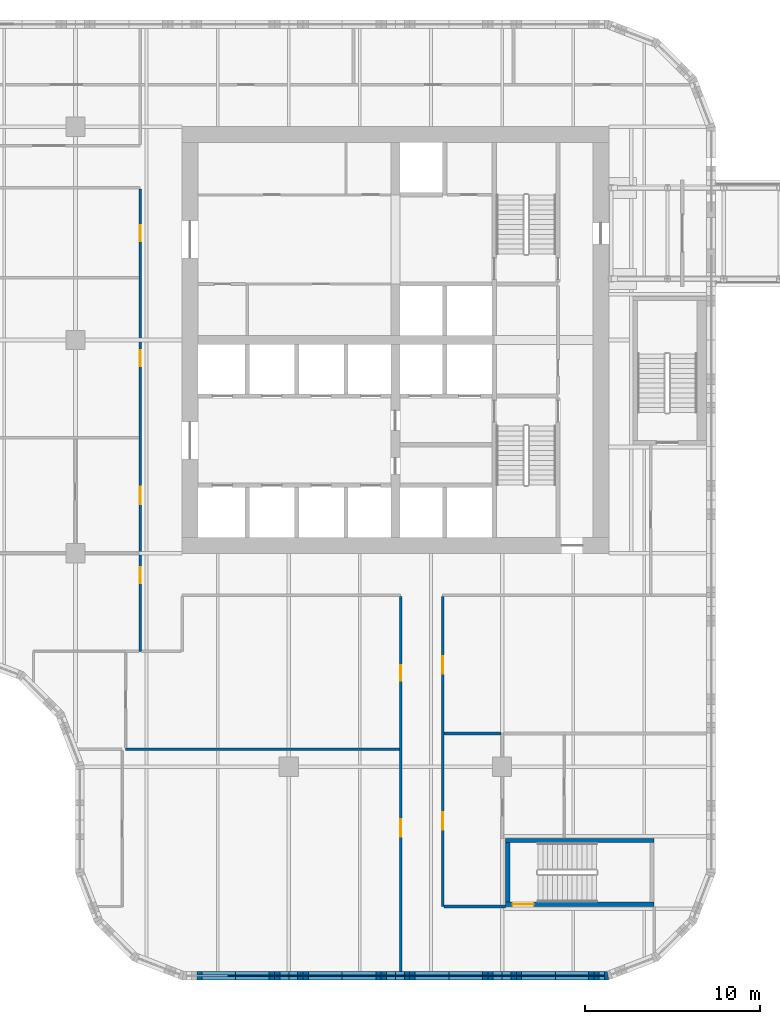
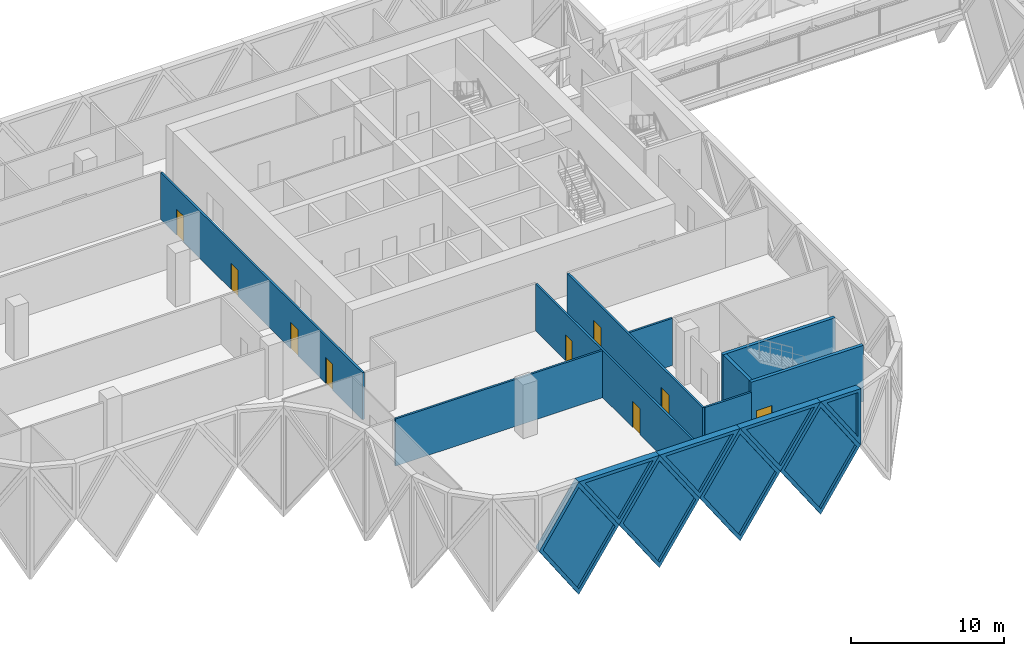
# One storey, part 12 of 30: 17 walls, 9 doors, 8 plates, 17 openings.
"""IFC4 building model written with IfcOpenShell, lengths in metres."""

from ifc_helpers import new_model, si_unit, direction, frame, frame_2d, origin, place, context, subcontext, project, spatial, polyline, rectangle, outline, extrude, faceted_brep, source, transform, mapped, material, layer, layer_set, type_object, element, fill, save


model = new_model("IFC4")

# Units and contexts
model_context = context("Model", 3, precision=1e-05, world=origin(), true_north=direction((0.0, 1.0)))
body_context = subcontext(model_context, "Body", "Model", "MODEL_VIEW")
ifc_project = project(units=[si_unit("LENGTHUNIT", "METRE"), si_unit("AREAUNIT", "SQUARE_METRE"), si_unit("VOLUMEUNIT", "CUBIC_METRE"), si_unit("PLANEANGLEUNIT", "RADIAN"), si_unit("MASSUNIT", "GRAM", prefix="KILO")], contexts=[model_context])

# Site, building, storey
site_placement = place(None, origin())
site = spatial("IfcSite", under=ifc_project, at=site_placement, CompositionType="ELEMENT")
building_placement = place(site_placement, origin())
building = spatial("IfcBuilding", under=site, at=building_placement, Name="Tessera Gate Towers", CompositionType="ELEMENT")
storey_placement = place(building_placement, frame((0.0, 0.0, 21.300048828125)))
storey = spatial("IfcBuildingStorey", under=building, at=storey_placement, Name="L04", CompositionType="ELEMENT", Elevation=21.300048828125)

# Wall, opening, door
ifc_material_1 = material(Name="Concrete C40/50", Category="concrete")
ifc_layer_1 = layer(ifc_material_1, 0.25)
ifc_layer_set_1 = layer_set([ifc_layer_1], Name="CORE ENCLOSURE WALL 250")
wall_type_1 = type_object("IfcWallType", Name="CORE ENCLOSURE WALL 250", PredefinedType="SOLIDWALL", material=ifc_layer_set_1)
wall_1_placement = place(storey_placement, frame((57.5, 4.324951171875, 0.0), z_axis=(0.0, 0.0, 1.0), x_axis=(-1.0, 0.0, 0.0)))
wall_1 = element("IfcWall", 1, at=wall_1_placement, inside=storey, type_object=wall_type_1, Name="L04 ST4 enclosure wall", PredefinedType="SOLIDWALL", context=body_context, shape_type="SweptSolid", body=[
    extrude(rectangle(XDim=8.5, YDim=0.25, at=frame_2d((4.25, 0.0))), origin(), (0.0, 0.0, 1.0), 4.5),
])
shared_shape_1 = source(origin(), body_context, "Body", "SweptSolid", [
    extrude(rectangle(XDim=1.199951171875, YDim=2.10009765625, at=frame_2d((0.60009765625, 1.050048828125))), frame((0.0, 0.135009765625, 0.0), z_axis=(0.0, -1.0, 0.0), x_axis=(1.0, 0.0, 0.0)), (0.0, 0.0, 1.0), 0.27001953125),
])
opening_1_placement = place(wall_1_placement, frame((6.89990234375, 0.0, 0.0)))
opening_1 = element("IfcOpeningElement", 2, at=opening_1_placement, cuts=wall_1, Name="Opening SD-ST4-1", PredefinedType="OPENING", context=body_context, shape_type="MappedRepresentation", body=[
    mapped(shared_shape_1, transform((0.0, 0.0, 0.0), scale=1.0)),
])
ifc_material_2 = material(Name="Hollow steel fire door", Category="steel")
door_type_1 = type_object("IfcDoorType", Name="CORE DOOR SD 1200x2100", OperationType="NOTDEFINED", PredefinedType="DOOR", material=ifc_material_2)
shared_shape_2 = source(origin(), body_context, "Body", "SweptSolid", [
    extrude(rectangle(XDim=1.199951171875, YDim=2.10009765625, at=frame_2d((0.60009765625, 1.050048828125))), frame((0.0, 0.02490234375, 0.0), z_axis=(0.0, -1.0, 0.0), x_axis=(1.0, 0.0, 0.0)), (0.0, 0.0, 1.0), 0.050048828125),
])
door_1_placement = place(opening_1_placement, origin())
door_1 = element("IfcDoor", 3, at=door_1_placement, inside=storey, type_object=door_type_1, Name="Stair door", OperationType="SINGLE_SWING_RIGHT", OverallHeight=2.10009765625, OverallWidth=1.199951171875, PredefinedType="DOOR", context=body_context, shape_type="MappedRepresentation", body=[
    mapped(shared_shape_2, transform((0.0, 0.0, 0.0), scale=1.0)),
])
fill(opening_1, door_1)

# Walls
wall_2_placement = place(storey_placement, frame((49.125, 4.449951171875, 0.0), z_axis=(0.0, 0.0, 1.0), x_axis=(0.0, 1.0, 0.0)))
element("IfcWall", 4, at=wall_2_placement, inside=storey, type_object=wall_type_1, Name="L04 ST4 enclosure wall", PredefinedType="SOLIDWALL", context=body_context, shape_type="SweptSolid", body=[
    extrude(rectangle(XDim=3.400146484375, YDim=0.25, at=frame_2d((1.7001953125, 0.0))), origin(), (0.0, 0.0, 1.0), 4.5),
])
wall_3_placement = place(storey_placement, frame((49.0, 7.97509765625, 0.0), z_axis=(0.0, 0.0, 1.0), x_axis=(1.0, 0.0, 0.0)))
element("IfcWall", 5, at=wall_3_placement, inside=storey, type_object=wall_type_1, Name="L04 ST4 enclosure wall", PredefinedType="SOLIDWALL", context=body_context, shape_type="SweptSolid", body=[
    extrude(rectangle(XDim=8.5, YDim=0.25, at=frame_2d((4.25, 0.0))), origin(), (0.0, 0.0, 1.0), 4.5),
])

# Wall, openings, doors
ifc_material_3 = material(Name="Gypsum board on steel studs, mineral wool", Category="steel")
ifc_layer_2 = layer(ifc_material_3, 0.14990234375)
ifc_layer_set_2 = layer_set([ifc_layer_2], Name="CORRIDOR WALL 150")
wall_type_2 = type_object("IfcWallType", Name="CORRIDOR WALL 150", PredefinedType="PARTITIONING", material=ifc_layer_set_2)
wall_4_placement = place(storey_placement, frame((43.0, 0.5, 0.0), z_axis=(0.0, 0.0, 1.0), x_axis=(0.0, 1.0, 0.0)))
wall_4 = element("IfcWall", 6, at=wall_4_placement, inside=storey, type_object=wall_type_2, Name="T1-L04-PW-001", PredefinedType="PARTITIONING", context=body_context, shape_type="SweptSolid", body=[
    extrude(rectangle(XDim=21.424072265625, YDim=0.14990234375, at=frame_2d((10.7119140625, 0.0))), origin(), (0.0, 0.0, 1.0), 3.766845703125),
])
shared_shape_3 = source(origin(), body_context, "Body", "SweptSolid", [
    extrude(rectangle(XDim=0.89990234375, YDim=2.10009765625, at=frame_2d((0.449951171875, 1.050048828125))), frame((0.0, 0.0849609375, 0.0), z_axis=(0.0, -1.0, 0.0), x_axis=(1.0, 0.0, 0.0)), (0.0, 0.0, 1.0), 0.169921875),
])
opening_2_placement = place(wall_4_placement, frame((16.60107421875, 0.0, 0.0)))
opening_2 = element("IfcOpeningElement", 7, at=opening_2_placement, cuts=wall_4, Name="Opening D890FD60-A01-04", PredefinedType="OPENING", context=body_context, shape_type="MappedRepresentation", body=[
    mapped(shared_shape_3, transform((0.0, 0.0, 0.0), scale=1.0)),
])
shared_shape_4 = source(origin(), body_context, "Body", "SweptSolid", [
    extrude(rectangle(XDim=1.0, YDim=2.10009765625, at=frame_2d((0.5, 1.050048828125))), frame((0.0, 0.0849609375, 0.0), z_axis=(0.0, -1.0, 0.0), x_axis=(1.0, 0.0, 0.0)), (0.0, 0.0, 1.0), 0.169921875),
])
opening_3_placement = place(wall_4_placement, frame((7.699951171875, 0.0, 0.0)))
opening_3 = element("IfcOpeningElement", 8, at=opening_3_placement, cuts=wall_4, Name="Opening D2100FD60-A01-03", PredefinedType="OPENING", context=body_context, shape_type="MappedRepresentation", body=[
    mapped(shared_shape_4, transform((0.0, 0.0, 0.0), scale=1.0)),
])
ifc_material_4 = material(Name="Timber door leaf in steel frame", Category="steel")
door_type_2 = type_object("IfcDoorType", Name="CORRIDOR DOOR 900 FD60", OperationType="NOTDEFINED", PredefinedType="DOOR", material=ifc_material_4)
shared_shape_5 = source(origin(), body_context, "Body", "SweptSolid", [
    extrude(rectangle(XDim=0.89990234375, YDim=2.10009765625, at=frame_2d((0.449951171875, 1.050048828125))), frame((0.0, 0.02490234375, 0.0), z_axis=(0.0, -1.0, 0.0), x_axis=(1.0, 0.0, 0.0)), (0.0, 0.0, 1.0), 0.050048828125),
])
door_2_placement = place(opening_2_placement, origin())
door_2 = element("IfcDoor", 9, at=door_2_placement, inside=storey, type_object=door_type_2, Name="T1-L04-PD-017", OperationType="SINGLE_SWING_LEFT", OverallHeight=2.10009765625, OverallWidth=0.89990234375, PredefinedType="DOOR", context=body_context, shape_type="MappedRepresentation", body=[
    mapped(shared_shape_5, transform((0.0, 0.0, 0.0), scale=1.0)),
])
fill(opening_2, door_2)
ifc_material_5 = material(Name="Timber door leaf in steel frame", Category="steel")
door_type_3 = type_object("IfcDoorType", Name="TENANCY ENTRANCE DOOR 1000 FD60", OperationType="NOTDEFINED", PredefinedType="DOOR", material=ifc_material_5)
shared_shape_6 = source(origin(), body_context, "Body", "SweptSolid", [
    extrude(rectangle(XDim=1.0, YDim=2.10009765625, at=frame_2d((0.5, 1.050048828125))), frame((0.0, 0.02490234375, 0.0), z_axis=(0.0, -1.0, 0.0), x_axis=(1.0, 0.0, 0.0)), (0.0, 0.0, 1.0), 0.050048828125),
])
door_3_placement = place(opening_3_placement, origin())
door_3 = element("IfcDoor", 10, at=door_3_placement, inside=storey, type_object=door_type_3, Name="T1-L04-PD-018", OperationType="SINGLE_SWING_LEFT", OverallHeight=2.10009765625, OverallWidth=1.0, PredefinedType="DOOR", context=body_context, shape_type="MappedRepresentation", body=[
    mapped(shared_shape_6, transform((0.0, 0.0, 0.0), scale=1.0)),
])
fill(opening_3, door_3)

wall_5_placement = place(storey_placement, frame((45.39990234375, 21.924072265625, 0.0), z_axis=(0.0, 0.0, 1.0), x_axis=(0.0, -1.0, 0.0)))
wall_5 = element("IfcWall", 11, at=wall_5_placement, inside=storey, type_object=wall_type_2, Name="T1-L04-PW-005", PredefinedType="PARTITIONING", context=body_context, shape_type="SweptSolid", body=[
    extrude(rectangle(XDim=17.72412109375, YDim=0.14990234375, at=frame_2d((8.862060546875, 0.0))), origin(), (0.0, 0.0, 1.0), 3.766845703125),
])
opening_4_placement = place(wall_5_placement, frame((3.423095703125, 0.0, 0.0)))
opening_4 = element("IfcOpeningElement", 12, at=opening_4_placement, cuts=wall_5, Name="Opening D2100FD60-A01-02", PredefinedType="OPENING", context=body_context, shape_type="MappedRepresentation", body=[
    mapped(shared_shape_4, transform((0.0, 0.0, 0.0), scale=1.0)),
])
opening_5_placement = place(wall_5_placement, frame((12.323974609375, 0.0, 0.0)))
opening_5 = element("IfcOpeningElement", 13, at=opening_5_placement, cuts=wall_5, Name="Opening D2100FD60-A01-04", PredefinedType="OPENING", context=body_context, shape_type="MappedRepresentation", body=[
    mapped(shared_shape_4, transform((0.0, 0.0, 0.0), scale=1.0)),
])
door_4_placement = place(opening_4_placement, origin())
door_4 = element("IfcDoor", 14, at=door_4_placement, inside=storey, type_object=door_type_3, Name="T1-L04-PD-013", OperationType="SINGLE_SWING_RIGHT", OverallHeight=2.10009765625, OverallWidth=1.0, PredefinedType="DOOR", context=body_context, shape_type="MappedRepresentation", body=[
    mapped(shared_shape_6, transform((0.0, 0.0, 0.0), scale=1.0)),
])
fill(opening_4, door_4)
door_5_placement = place(opening_5_placement, origin())
door_5 = element("IfcDoor", 15, at=door_5_placement, inside=storey, type_object=door_type_3, Name="T1-L04-PD-021", OperationType="SINGLE_SWING_RIGHT", OverallHeight=2.10009765625, OverallWidth=1.0, PredefinedType="DOOR", context=body_context, shape_type="MappedRepresentation", body=[
    mapped(shared_shape_6, transform((0.0, 0.0, 0.0), scale=1.0)),
])
fill(opening_5, door_5)

# Wall
wall_6_placement = place(storey_placement, frame((45.47607421875, 4.199951171875, 0.0), z_axis=(0.0, 0.0, 1.0), x_axis=(1.0, 0.0, 0.0)))
element("IfcWall", 16, at=wall_6_placement, inside=storey, type_object=wall_type_2, Name="T1-L04-PW-006", PredefinedType="PARTITIONING", context=body_context, shape_type="SweptSolid", body=[
    extrude(rectangle(XDim=3.52392578125, YDim=0.14990234375, at=frame_2d((1.761962890625, 0.0))), origin(), (0.0, 0.0, 1.0), 3.766845703125),
])

# Wall, openings, doors
wall_7_placement = place(storey_placement, frame((28.10009765625, 18.800048828125, 0.0), z_axis=(0.0, 0.0, 1.0), x_axis=(0.0, 1.0, 0.0)))
wall_7 = element("IfcWall", 17, at=wall_7_placement, inside=storey, type_object=wall_type_2, Name="T1-L04-PW-019", PredefinedType="PARTITIONING", context=body_context, shape_type="SweptSolid", body=[
    extrude(rectangle(XDim=26.424072265625, YDim=0.14990234375, at=frame_2d((13.2119140625, 0.0))), origin(), (0.0, 0.0, 1.0), 3.766845703125),
])
opening_6_placement = place(wall_7_placement, frame((3.90087890625, 0.0, 0.0)))
opening_6 = element("IfcOpeningElement", 18, at=opening_6_placement, cuts=wall_7, Name="Opening D890FD60-A01-01", PredefinedType="OPENING", context=body_context, shape_type="MappedRepresentation", body=[
    mapped(shared_shape_3, transform((0.0, 0.0, 0.0), scale=1.0)),
])
opening_7_placement = place(wall_7_placement, frame((23.450927734375, 0.0, 0.0)))
opening_7 = element("IfcOpeningElement", 19, at=opening_7_placement, cuts=wall_7, Name="Opening D890FD60-A01-02", PredefinedType="OPENING", context=body_context, shape_type="MappedRepresentation", body=[
    mapped(shared_shape_3, transform((0.0, 0.0, 0.0), scale=1.0)),
])
opening_8_placement = place(wall_7_placement, frame((8.39990234375, 0.0, 0.0)))
opening_8 = element("IfcOpeningElement", 20, at=opening_8_placement, cuts=wall_7, Name="Opening D2100FD60-A01-01", PredefinedType="OPENING", context=body_context, shape_type="MappedRepresentation", body=[
    mapped(shared_shape_4, transform((0.0, 0.0, 0.0), scale=1.0)),
])
opening_9_placement = place(wall_7_placement, frame((16.300048828125, 0.0, 0.0)))
opening_9 = element("IfcOpeningElement", 21, at=opening_9_placement, cuts=wall_7, Name="Opening D890FD60-A01-06", PredefinedType="OPENING", context=body_context, shape_type="MappedRepresentation", body=[
    mapped(shared_shape_3, transform((0.0, 0.0, 0.0), scale=1.0)),
])
door_6_placement = place(opening_6_placement, origin())
door_6 = element("IfcDoor", 22, at=door_6_placement, inside=storey, type_object=door_type_2, Name="T1-L04-PD-002", OperationType="SINGLE_SWING_LEFT", OverallHeight=2.10009765625, OverallWidth=0.89990234375, PredefinedType="DOOR", context=body_context, shape_type="MappedRepresentation", body=[
    mapped(shared_shape_5, transform((0.0, 0.0, 0.0), scale=1.0)),
])
fill(opening_6, door_6)
door_7_placement = place(opening_7_placement, origin())
door_7 = element("IfcDoor", 23, at=door_7_placement, inside=storey, type_object=door_type_2, Name="T1-L04-PD-006", OperationType="SINGLE_SWING_LEFT", OverallHeight=2.10009765625, OverallWidth=0.89990234375, PredefinedType="DOOR", context=body_context, shape_type="MappedRepresentation", body=[
    mapped(shared_shape_5, transform((0.0, 0.0, 0.0), scale=1.0)),
])
fill(opening_7, door_7)
door_8_placement = place(opening_9_placement, origin())
door_8 = element("IfcDoor", 24, at=door_8_placement, inside=storey, type_object=door_type_2, Name="T1-L04-PD-020", OperationType="SINGLE_SWING_LEFT", OverallHeight=2.10009765625, OverallWidth=0.89990234375, PredefinedType="DOOR", context=body_context, shape_type="MappedRepresentation", body=[
    mapped(shared_shape_5, transform((0.0, 0.0, 0.0), scale=1.0)),
])
fill(opening_9, door_8)
door_9_placement = place(opening_8_placement, origin())
door_9 = element("IfcDoor", 25, at=door_9_placement, inside=storey, type_object=door_type_3, Name="T1-L04-PD-012", OperationType="SINGLE_SWING_LEFT", OverallHeight=2.10009765625, OverallWidth=1.0, PredefinedType="DOOR", context=body_context, shape_type="MappedRepresentation", body=[
    mapped(shared_shape_6, transform((0.0, 0.0, 0.0), scale=1.0)),
])
fill(opening_8, door_9)

# Walls
ifc_material_6 = material(Name="Gypsum board on steel studs, mineral wool", Category="steel")
ifc_layer_3 = layer(ifc_material_6, 0.14990234375)
ifc_layer_set_3 = layer_set([ifc_layer_3], Name="TENANCY WALL 150")
wall_type_3 = type_object("IfcWallType", Name="TENANCY WALL 150", PredefinedType="PARTITIONING", material=ifc_layer_set_3)
wall_8_placement = place(storey_placement, frame((27.27490234375, 13.199951171875, 0.0), z_axis=(0.0, 0.0, 1.0), x_axis=(1.0, 0.0, 0.0)))
element("IfcWall", 26, at=wall_8_placement, inside=storey, type_object=wall_type_3, Name="T1-L04-PW-011", PredefinedType="PARTITIONING", context=body_context, shape_type="SweptSolid", body=[
    extrude(rectangle(XDim=15.649169921875, YDim=0.14990234375, at=frame_2d((7.82470703125, 0.0))), origin(), (0.0, 0.0, 1.0), 3.766845703125),
])
wall_9_placement = place(storey_placement, frame((45.47607421875, 14.10009765625, 0.0), z_axis=(0.0, 0.0, 1.0), x_axis=(1.0, 0.0, 0.0)))
element("IfcWall", 27, at=wall_9_placement, inside=storey, type_object=wall_type_3, Name="T1-L04-PW-013", PredefinedType="PARTITIONING", context=body_context, shape_type="SweptSolid", body=[
    extrude(rectangle(XDim=3.248046875, YDim=0.14990234375, at=frame_2d((1.6240234375, 0.0))), origin(), (0.0, 0.0, 1.0), 3.766845703125),
])

# Wall, opening, plate
ifc_material_7 = material(Name="Precast concrete C60/75 white", Category="concrete")
ifc_layer_4 = layer(ifc_material_7, 0.5)
ifc_layer_set_4 = layer_set([ifc_layer_4], Name="TS1 tessera")
wall_type_4 = type_object("IfcWallType", Name="TS1 tessera", PredefinedType="SOLIDWALL", material=ifc_layer_set_4)
shared_shape_7 = source(origin(), body_context, "Body", "Brep", [
    faceted_brep([(3.00341796875, -0.25, 0.0), (6.053466796875, -0.25, 4.5), (3.00341796875, -0.25, 9.0), (0.0, -0.25, 4.5), (0.046630859375, 0.25, 4.56982421875), (3.00341796875, 0.25, 9.0), (6.053466796875, 0.25, 4.5), (3.00341796875, 0.25, 0.0), (0.046630859375, 0.25, 4.43017578125), (0.0, 0.0, 4.5)], [[[0, 1, 2, 3]], [[4, 5, 6, 7, 8]], [[7, 6, 1, 0]], [[6, 5, 2, 1]], [[5, 4, 9, 3, 2]], [[8, 7, 0, 3, 9]], [[8, 9, 4]]]),
])
wall_10_placement = place(storey_placement, frame((30.546630859375, 0.25, -4.5), z_axis=(0.0, 0.0, 1.0), x_axis=(1.0, 0.0, 0.0)))
wall_10 = element("IfcWall", 28, at=wall_10_placement, inside=storey, type_object=wall_type_4, Name="Precast tessera T1 TS1-0001", PredefinedType="SOLIDWALL", context=body_context, shape_type="MappedRepresentation", body=[
    mapped(shared_shape_7, transform((0.0, 0.0, 0.0), scale=1.0)),
])
shared_shape_8 = source(origin(), body_context, "Body", "SweptSolid", [
    extrude(outline(polyline([(3.005126953125, 0.447998046875), (5.75146484375, 4.5), (3.005126953125, 8.552001953125), (0.300537109375, 4.5), (3.005126953125, 0.447998046875)])), frame((0.0, 0.260009765625, 0.0), z_axis=(0.0, -1.0, 0.0), x_axis=(1.0, 0.0, 0.0)), (0.0, 0.0, 1.0), 0.52001953125),
])
opening_10_placement = place(wall_10_placement, origin())
opening_10 = element("IfcOpeningElement", 29, at=opening_10_placement, cuts=wall_10, Name="Opening T1-PL2-0001", PredefinedType="OPENING", context=body_context, shape_type="MappedRepresentation", body=[
    mapped(shared_shape_8, transform((0.0, 0.0, 0.0), scale=1.0)),
])
ifc_material_8 = material(Name="Low-e laminated glass", Category="glass")
ifc_layer_5 = layer(ifc_material_8, 0.06005859375)
ifc_layer_set_5 = layer_set([ifc_layer_5], Name="PL2 rhombic pane")
plate_type_1 = type_object("IfcPlateType", Name="PL2 rhombic pane", PredefinedType="SHEET", material=ifc_layer_set_5)
shared_shape_9 = source(origin(), body_context, "Body", "SweptSolid", [
    extrude(outline(polyline([(3.005126953125, 0.447998046875), (5.75146484375, 4.5), (3.005126953125, 8.552001953125), (0.300537109375, 4.5), (3.005126953125, 0.447998046875)])), frame((0.0, 0.030029296875, 0.0), z_axis=(0.0, -1.0, 0.0), x_axis=(1.0, 0.0, 0.0)), (0.0, 0.0, 1.0), 0.06005859375),
])
plate_1_placement = place(opening_10_placement, origin())
plate_1 = element("IfcPlate", 30, at=plate_1_placement, inside=storey, type_object=plate_type_1, Name="Glass pane T1 PL2-0001", PredefinedType="SHEET", context=body_context, shape_type="MappedRepresentation", body=[
    mapped(shared_shape_9, transform((0.0, 0.0, 0.0), scale=1.0)),
])
fill(opening_10, plate_1)

shared_shape_10 = source(origin(), body_context, "Body", "Brep", [
    faceted_brep([(3.050048828125, -0.25, 0.0), (6.099853515625, -0.25, 4.499755859375), (6.099853515625, -0.25, 4.500244140625), (3.050048828125, -0.25, 9.0), (0.0, -0.25, 4.5), (0.0, 0.25, 4.5), (3.050048828125, 0.25, 9.0), (6.099853515625, 0.25, 4.500244140625), (6.099853515625, 0.25, 4.499755859375), (3.050048828125, 0.25, 0.0)], [[[0, 1, 2, 3, 4]], [[5, 6, 7, 8, 9]], [[9, 8, 1, 0]], [[7, 6, 3, 2]], [[6, 5, 4, 3]], [[5, 9, 0, 4]], [[1, 8, 7, 2]]]),
])
wall_11_placement = place(storey_placement, frame((36.60009765625, 0.25, -4.5), z_axis=(0.0, 0.0, 1.0), x_axis=(1.0, 0.0, 0.0)))
wall_11 = element("IfcWall", 31, at=wall_11_placement, inside=storey, type_object=wall_type_4, Name="Precast tessera T1 TS1-0002", PredefinedType="SOLIDWALL", context=body_context, shape_type="MappedRepresentation", body=[
    mapped(shared_shape_10, transform((0.0, 0.0, 0.0), scale=1.0)),
])
shared_shape_11 = source(origin(), body_context, "Body", "SweptSolid", [
    extrude(outline(polyline([(3.050048828125, 0.445556640625), (5.798095703125, 4.5), (3.050048828125, 8.554443359375), (0.302001953125, 4.5), (3.050048828125, 0.445556640625)])), frame((0.0, 0.260009765625, 0.0), z_axis=(0.0, -1.0, 0.0), x_axis=(1.0, 0.0, 0.0)), (0.0, 0.0, 1.0), 0.52001953125),
])
opening_11_placement = place(wall_11_placement, origin())
opening_11 = element("IfcOpeningElement", 32, at=opening_11_placement, cuts=wall_11, Name="Opening T1-PL2-0002", PredefinedType="OPENING", context=body_context, shape_type="MappedRepresentation", body=[
    mapped(shared_shape_11, transform((0.0, 0.0, 0.0), scale=1.0)),
])
shared_shape_12 = source(origin(), body_context, "Body", "SweptSolid", [
    extrude(outline(polyline([(3.050048828125, 0.445556640625), (5.798095703125, 4.5), (3.050048828125, 8.554443359375), (0.302001953125, 4.5), (3.050048828125, 0.445556640625)])), frame((0.0, 0.030029296875, 0.0), z_axis=(0.0, -1.0, 0.0), x_axis=(1.0, 0.0, 0.0)), (0.0, 0.0, 1.0), 0.06005859375),
])
plate_2_placement = place(opening_11_placement, origin())
plate_2 = element("IfcPlate", 33, at=plate_2_placement, inside=storey, type_object=plate_type_1, Name="Glass pane T1 PL2-0002", PredefinedType="SHEET", context=body_context, shape_type="MappedRepresentation", body=[
    mapped(shared_shape_12, transform((0.0, 0.0, 0.0), scale=1.0)),
])
fill(opening_11, plate_2)

shared_shape_13 = source(origin(), body_context, "Body", "SweptSolid", [
    extrude(outline(polyline([(3.050048828125, 0.0), (6.10009765625, 4.5), (3.050048828125, 9.0), (0.0, 4.5), (3.050048828125, 0.0)])), frame((0.0, 0.25, 0.0), z_axis=(0.0, -1.0, 0.0), x_axis=(1.0, 0.0, 0.0)), (0.0, 0.0, 1.0), 0.5),
])
wall_12_placement = place(storey_placement, frame((42.699951171875, 0.25, -4.5), z_axis=(0.0, 0.0, 1.0), x_axis=(1.0, 0.0, 0.0)))
wall_12 = element("IfcWall", 34, at=wall_12_placement, inside=storey, type_object=wall_type_4, Name="Precast tessera T1 TS1-0003", PredefinedType="SOLIDWALL", context=body_context, shape_type="MappedRepresentation", body=[
    mapped(shared_shape_13, transform((0.0, 0.0, 0.0), scale=1.0)),
])
opening_12_placement = place(wall_12_placement, origin())
opening_12 = element("IfcOpeningElement", 35, at=opening_12_placement, cuts=wall_12, Name="Opening T1-PL2-0003", PredefinedType="OPENING", context=body_context, shape_type="MappedRepresentation", body=[
    mapped(shared_shape_11, transform((0.0, 0.0, 0.0), scale=1.0)),
])
plate_3_placement = place(opening_12_placement, origin())
plate_3 = element("IfcPlate", 36, at=plate_3_placement, inside=storey, type_object=plate_type_1, Name="Glass pane T1 PL2-0003", PredefinedType="SHEET", context=body_context, shape_type="MappedRepresentation", body=[
    mapped(shared_shape_12, transform((0.0, 0.0, 0.0), scale=1.0)),
])
fill(opening_12, plate_3)

shared_shape_14 = source(origin(), body_context, "Body", "Brep", [
    faceted_brep([(3.050048828125, -0.25, 0.0), (6.053466796875, -0.25, 4.5), (3.050048828125, -0.25, 9.0), (0.0, -0.25, 4.5), (0.0, 0.25, 4.5), (3.050048828125, 0.25, 9.0), (6.0068359375, 0.25, 4.56982421875), (6.0068359375, 0.25, 4.43017578125), (3.050048828125, 0.25, 0.0), (6.053466796875, 0.0, 4.5)], [[[0, 1, 2, 3]], [[4, 5, 6, 7, 8]], [[8, 7, 9, 1, 0]], [[6, 5, 2, 1, 9]], [[5, 4, 3, 2]], [[4, 8, 0, 3]], [[9, 7, 6]]]),
])
wall_13_placement = place(storey_placement, frame((48.800048828125, 0.25, -4.5), z_axis=(0.0, 0.0, 1.0), x_axis=(1.0, 0.0, 0.0)))
wall_13 = element("IfcWall", 37, at=wall_13_placement, inside=storey, type_object=wall_type_4, Name="Precast tessera T1 TS1-0004", PredefinedType="SOLIDWALL", context=body_context, shape_type="MappedRepresentation", body=[
    mapped(shared_shape_14, transform((0.0, 0.0, 0.0), scale=1.0)),
])
shared_shape_15 = source(origin(), body_context, "Body", "SweptSolid", [
    extrude(outline(polyline([(3.04833984375, 0.447998046875), (5.7529296875, 4.5), (3.04833984375, 8.552001953125), (0.302001953125, 4.5), (3.04833984375, 0.447998046875)])), frame((0.0, 0.260009765625, 0.0), z_axis=(0.0, -1.0, 0.0), x_axis=(1.0, 0.0, 0.0)), (0.0, 0.0, 1.0), 0.52001953125),
])
opening_13_placement = place(wall_13_placement, origin())
opening_13 = element("IfcOpeningElement", 38, at=opening_13_placement, cuts=wall_13, Name="Opening T1-PL2-0004", PredefinedType="OPENING", context=body_context, shape_type="MappedRepresentation", body=[
    mapped(shared_shape_15, transform((0.0, 0.0, 0.0), scale=1.0)),
])
shared_shape_16 = source(origin(), body_context, "Body", "SweptSolid", [
    extrude(outline(polyline([(3.04833984375, 0.447998046875), (5.7529296875, 4.5), (3.04833984375, 8.552001953125), (0.302001953125, 4.5), (3.04833984375, 0.447998046875)])), frame((0.0, 0.030029296875, 0.0), z_axis=(0.0, -1.0, 0.0), x_axis=(1.0, 0.0, 0.0)), (0.0, 0.0, 1.0), 0.06005859375),
])
plate_4_placement = place(opening_13_placement, origin())
plate_4 = element("IfcPlate", 39, at=plate_4_placement, inside=storey, type_object=plate_type_1, Name="Glass pane T1 PL2-0004", PredefinedType="SHEET", context=body_context, shape_type="MappedRepresentation", body=[
    mapped(shared_shape_16, transform((0.0, 0.0, 0.0), scale=1.0)),
])
fill(opening_13, plate_4)

ifc_material_9 = material(Name="Precast concrete C60/75 white", Category="concrete")
ifc_layer_6 = layer(ifc_material_9, 0.5)
ifc_layer_set_6 = layer_set([ifc_layer_6], Name="TS2 half tessera")
wall_type_5 = type_object("IfcWallType", Name="TS2 half tessera", PredefinedType="SOLIDWALL", material=ifc_layer_set_6)
shared_shape_17 = source(origin(), body_context, "Body", "Brep", [
    faceted_brep([(3.050048828125, -0.25, 0.0), (6.099853515625, -0.25, 4.499755859375), (6.099853515625, -0.25, 4.5), (0.0, -0.25, 4.5), (0.0, 0.25, 4.5), (6.099853515625, 0.25, 4.5), (6.099853515625, 0.25, 4.499755859375), (3.050048828125, 0.25, 0.0)], [[[0, 1, 2, 3]], [[4, 5, 6, 7]], [[7, 6, 1, 0]], [[5, 4, 3, 2]], [[4, 7, 0, 3]], [[1, 6, 5, 2]]]),
])
wall_14_placement = place(storey_placement, frame((33.550048828125, 0.25, 0.0), z_axis=(0.0, 0.0, 1.0), x_axis=(1.0, 0.0, 0.0)))
wall_14 = element("IfcWall", 40, at=wall_14_placement, inside=storey, type_object=wall_type_5, Name="Precast half tessera T1 TS2-0023", PredefinedType="SOLIDWALL", context=body_context, shape_type="MappedRepresentation", body=[
    mapped(shared_shape_17, transform((0.0, 0.0, 0.0), scale=1.0)),
])
shared_shape_18 = source(origin(), body_context, "Body", "SweptSolid", [
    extrude(outline(polyline([(3.050048828125, 0.445556640625), (5.628662109375, 4.25), (0.471435546875, 4.25), (3.050048828125, 0.445556640625)])), frame((0.0, 0.260009765625, 0.0), z_axis=(0.0, -1.0, 0.0), x_axis=(1.0, 0.0, 0.0)), (0.0, 0.0, 1.0), 0.52001953125),
])
opening_14_placement = place(wall_14_placement, origin())
opening_14 = element("IfcOpeningElement", 41, at=opening_14_placement, cuts=wall_14, Name="Opening T1-PL1-0049", PredefinedType="OPENING", context=body_context, shape_type="MappedRepresentation", body=[
    mapped(shared_shape_18, transform((0.0, 0.0, 0.0), scale=1.0)),
])
ifc_material_10 = material(Name="Low-e laminated glass", Category="glass")
ifc_layer_7 = layer(ifc_material_10, 0.06005859375)
ifc_layer_set_7 = layer_set([ifc_layer_7], Name="PL1 triangular pane")
plate_type_2 = type_object("IfcPlateType", Name="PL1 triangular pane", PredefinedType="SHEET", material=ifc_layer_set_7)
shared_shape_19 = source(origin(), body_context, "Body", "SweptSolid", [
    extrude(outline(polyline([(3.050048828125, 0.445556640625), (5.628662109375, 4.25), (0.471435546875, 4.25), (3.050048828125, 0.445556640625)])), frame((0.0, 0.030029296875, 0.0), z_axis=(0.0, -1.0, 0.0), x_axis=(1.0, 0.0, 0.0)), (0.0, 0.0, 1.0), 0.06005859375),
])
plate_5_placement = place(opening_14_placement, origin())
plate_5 = element("IfcPlate", 42, at=plate_5_placement, inside=storey, type_object=plate_type_2, Name="Glass pane T1 PL1-0049", PredefinedType="SHEET", context=body_context, shape_type="MappedRepresentation", body=[
    mapped(shared_shape_19, transform((0.0, 0.0, 0.0), scale=1.0)),
])
fill(opening_14, plate_5)

shared_shape_20 = source(origin(), body_context, "Body", "SweptSolid", [
    extrude(outline(polyline([(3.050048828125, 0.0), (6.10009765625, 4.5), (0.0, 4.5), (3.050048828125, 0.0)])), frame((0.0, 0.25, 0.0), z_axis=(0.0, -1.0, 0.0), x_axis=(1.0, 0.0, 0.0)), (0.0, 0.0, 1.0), 0.5),
])
wall_15_placement = place(storey_placement, frame((39.64990234375, 0.25, 0.0), z_axis=(0.0, 0.0, 1.0), x_axis=(1.0, 0.0, 0.0)))
wall_15 = element("IfcWall", 43, at=wall_15_placement, inside=storey, type_object=wall_type_5, Name="Precast half tessera T1 TS2-0024", PredefinedType="SOLIDWALL", context=body_context, shape_type="MappedRepresentation", body=[
    mapped(shared_shape_20, transform((0.0, 0.0, 0.0), scale=1.0)),
])
opening_15_placement = place(wall_15_placement, origin())
opening_15 = element("IfcOpeningElement", 44, at=opening_15_placement, cuts=wall_15, Name="Opening T1-PL1-0050", PredefinedType="OPENING", context=body_context, shape_type="MappedRepresentation", body=[
    mapped(shared_shape_18, transform((0.0, 0.0, 0.0), scale=1.0)),
])
plate_6_placement = place(opening_15_placement, origin())
plate_6 = element("IfcPlate", 45, at=plate_6_placement, inside=storey, type_object=plate_type_2, Name="Glass pane T1 PL1-0050", PredefinedType="SHEET", context=body_context, shape_type="MappedRepresentation", body=[
    mapped(shared_shape_19, transform((0.0, 0.0, 0.0), scale=1.0)),
])
fill(opening_15, plate_6)

wall_16_placement = place(storey_placement, frame((45.75, 0.25, 0.0), z_axis=(0.0, 0.0, 1.0), x_axis=(1.0, 0.0, 0.0)))
wall_16 = element("IfcWall", 46, at=wall_16_placement, inside=storey, type_object=wall_type_5, Name="Precast half tessera T1 TS2-0025", PredefinedType="SOLIDWALL", context=body_context, shape_type="MappedRepresentation", body=[
    mapped(shared_shape_20, transform((0.0, 0.0, 0.0), scale=1.0)),
])
opening_16_placement = place(wall_16_placement, origin())
opening_16 = element("IfcOpeningElement", 47, at=opening_16_placement, cuts=wall_16, Name="Opening T1-PL1-0051", PredefinedType="OPENING", context=body_context, shape_type="MappedRepresentation", body=[
    mapped(shared_shape_18, transform((0.0, 0.0, 0.0), scale=1.0)),
])
plate_7_placement = place(opening_16_placement, origin())
plate_7 = element("IfcPlate", 48, at=plate_7_placement, inside=storey, type_object=plate_type_2, Name="Glass pane T1 PL1-0051", PredefinedType="SHEET", context=body_context, shape_type="MappedRepresentation", body=[
    mapped(shared_shape_19, transform((0.0, 0.0, 0.0), scale=1.0)),
])
fill(opening_16, plate_7)

ifc_material_11 = material(Name="Precast concrete C60/75 white", Category="concrete")
ifc_layer_8 = layer(ifc_material_11, 0.5)
ifc_layer_set_8 = layer_set([ifc_layer_8], Name="TS3 corner tessera")
wall_type_6 = type_object("IfcWallType", Name="TS3 corner tessera", PredefinedType="SOLIDWALL", material=ifc_layer_set_8)
shared_shape_21 = source(origin(), body_context, "Body", "Brep", [
    faceted_brep([(3.00341796875, -0.25, 0.0), (3.050048828125, -0.25, 0.071044921875), (3.050048828125, -0.25, 4.5), (0.0, -0.25, 4.5), (0.0, 0.25, 4.5), (2.956787109375, 0.25, 4.5), (2.956787109375, 0.25, 0.069580078125), (3.00341796875, 0.000244140625, 0.0)], [[[0, 1, 2, 3]], [[4, 5, 6]], [[1, 0, 7]], [[5, 4, 3, 2]], [[4, 6, 7, 0, 3]], [[1, 7, 6, 5, 2]]]),
])
wall_17_placement = place(storey_placement, frame((51.85009765625, 0.25, 0.0), z_axis=(0.0, 0.0, 1.0), x_axis=(1.0, 0.0, 0.0)))
wall_17 = element("IfcWall", 49, at=wall_17_placement, inside=storey, type_object=wall_type_6, Name="Precast corner tessera T1 TS3-0051", PredefinedType="SOLIDWALL", context=body_context, shape_type="MappedRepresentation", body=[
    mapped(shared_shape_21, transform((0.0, 0.0, 0.0), scale=1.0)),
])
shared_shape_22 = source(origin(), body_context, "Body", "SweptSolid", [
    extrude(outline(polyline([(2.803466796875, 4.25), (0.467529296875, 4.25), (2.803466796875, 0.75), (2.803466796875, 4.25)])), frame((0.0, 0.260009765625, 0.0), z_axis=(0.0, -1.0, 0.0), x_axis=(1.0, 0.0, 0.0)), (0.0, 0.0, 1.0), 0.52001953125),
])
opening_17_placement = place(wall_17_placement, origin())
opening_17 = element("IfcOpeningElement", 50, at=opening_17_placement, cuts=wall_17, Name="Opening T1-PL1-0052", PredefinedType="OPENING", context=body_context, shape_type="MappedRepresentation", body=[
    mapped(shared_shape_22, transform((0.0, 0.0, 0.0), scale=1.0)),
])
shared_shape_23 = source(origin(), body_context, "Body", "SweptSolid", [
    extrude(outline(polyline([(2.803466796875, 4.25), (0.467529296875, 4.25), (2.803466796875, 0.75), (2.803466796875, 4.25)])), frame((0.0, 0.030029296875, 0.0), z_axis=(0.0, -1.0, 0.0), x_axis=(1.0, 0.0, 0.0)), (0.0, 0.0, 1.0), 0.06005859375),
])
plate_8_placement = place(opening_17_placement, origin())
plate_8 = element("IfcPlate", 51, at=plate_8_placement, inside=storey, type_object=plate_type_2, Name="Glass pane T1 PL1-0052", PredefinedType="SHEET", context=body_context, shape_type="MappedRepresentation", body=[
    mapped(shared_shape_23, transform((0.0, 0.0, 0.0), scale=1.0)),
])
fill(opening_17, plate_8)

save(model, "model.ifc")
